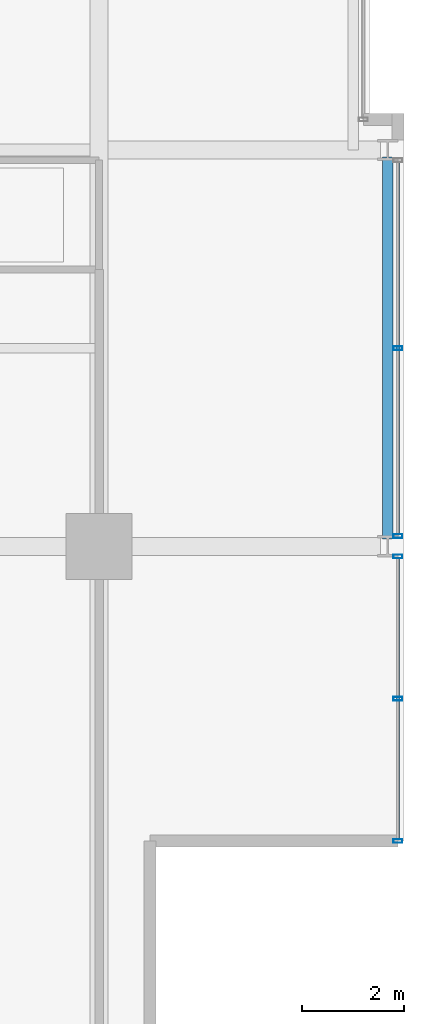
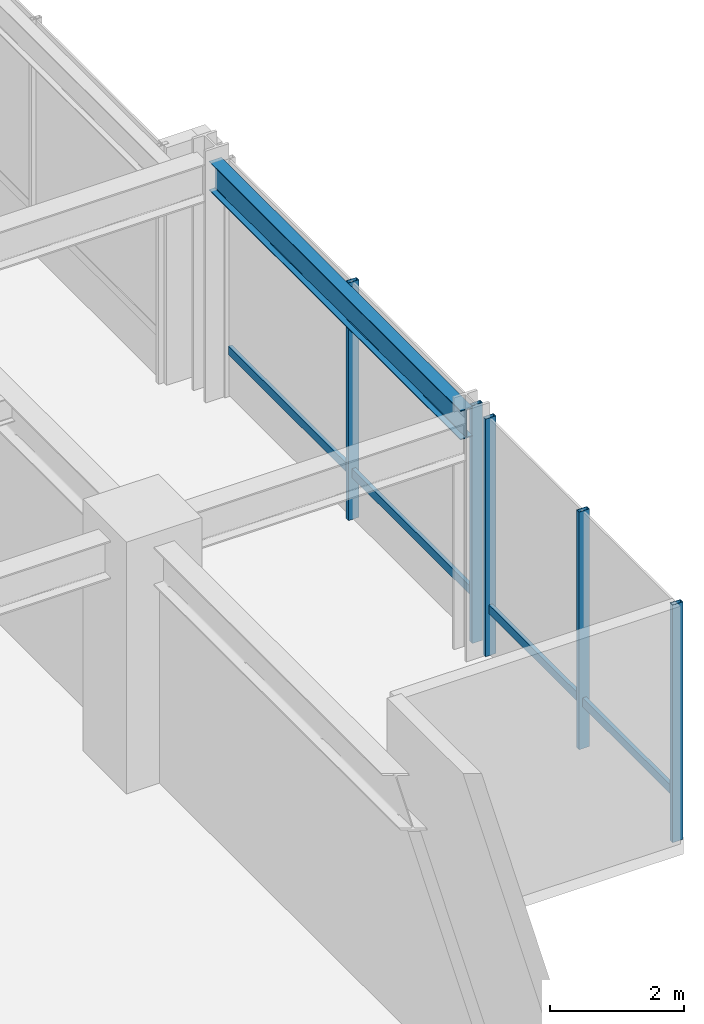
# One storey, part 13 of 32: 7 members, 1 beam, 2 elements without a shape of their own.
"""IFC4 building model written with IfcOpenShell, lengths in metres."""

from ifc_helpers import new_model, si_unit, direction, frame, origin, origin_2d, place, context, subcontext, project, spatial, hollow_rectangle, i_section, extrude, material, layer, layer_set, material_profile, profile_set, type_object, element, aggregate, save


model = new_model("IFC4")

# Units and contexts
model_context = context("Model", 3, precision=1e-05, world=origin(), true_north=direction((0.0, 1.0)))
body_context = subcontext(model_context, "Body", "Model", "MODEL_VIEW")
ifc_project = project(units=[si_unit("LENGTHUNIT", "METRE"), si_unit("AREAUNIT", "SQUARE_METRE"), si_unit("VOLUMEUNIT", "CUBIC_METRE"), si_unit("PLANEANGLEUNIT", "RADIAN"), si_unit("MASSUNIT", "GRAM", prefix="KILO")], contexts=[model_context])

# Site, building, storey
site_placement = place(None, origin())
site = spatial("IfcSite", under=ifc_project, at=site_placement, CompositionType="ELEMENT")
building_placement = place(site_placement, origin())
building = spatial("IfcBuilding", under=site, at=building_placement, Name="Drelvath Grand Hotel", CompositionType="ELEMENT")
storey_placement = place(building_placement, frame((0.0, 0.0, 145.800048828125)))
storey = spatial("IfcBuildingStorey", under=building, at=storey_placement, Name="L37", CompositionType="ELEMENT", Elevation=145.800048828125)

# Curtain wall, member
ifc_material_1 = material(Name="Brushed Pale-Silver Anodised Aluminium Frame", Category="aluminium")
ifc_layer = layer(ifc_material_1, 0.199951171875)
ifc_layer_set = layer_set([ifc_layer], Name="Brushed Pale-Silver Anodised Aluminium Frame")
curtain_wall_type = type_object("IfcCurtainWallType", Name="Stick Curtain Wall CW-04 Brushed Silver Upper-Mid", PredefinedType="NOTDEFINED", material=ifc_layer_set)
curtain_wall_1_placement = place(storey_placement, origin())
curtain_wall_1 = element("IfcCurtainWall", 1, at=curtain_wall_1_placement, inside=storey, type_object=curtain_wall_type, Name="L37 CW-04 Curtain Wall CW04-L37-ES1", PredefinedType="NOTDEFINED")
ifc_material_profile_1 = material_profile(ifc_material_1, hollow_rectangle(XDim=0.06494140625, YDim=0.159912109375, WallThickness=0.00390625, at=origin_2d()), Name="HSS160X65X4")
ifc_profile_set_1 = profile_set([ifc_material_profile_1], Name="Brushed Pale-Silver Anodised Aluminium Frame")
member_type_1 = type_object("IfcMemberType", Name="Curtain Wall Horizontal Transom CW-04 HSS160X65X4", PredefinedType="USERDEFINED", material=ifc_profile_set_1)
member_1_placement = place(storey_placement, frame((22.080078125, 10.559814453125, 0.849853515625), z_axis=(0.0, -1.0, 0.0), x_axis=(1.0, 0.0, 0.0)))
member_1 = element("IfcMember", 2, at=member_1_placement, type_object=member_type_1, Name="CW04-L37-ES1 Sill Transom", ObjectType="TRANSOM", PredefinedType="USERDEFINED", context=body_context, shape_type="SweptSolid", body=[
    extrude(hollow_rectangle(XDim=0.06494140625, YDim=0.159912109375, WallThickness=0.00390625, at=origin_2d()), origin(), (0.0, 0.0, 1.0), 5.519775390625),
])

curtain_wall_2_placement = place(storey_placement, origin())
curtain_wall_2 = element("IfcCurtainWall", 3, at=curtain_wall_2_placement, inside=storey, type_object=curtain_wall_type, Name="L37 CW-04 Curtain Wall CW04-L37-ES2", PredefinedType="NOTDEFINED")
member_2_placement = place(storey_placement, frame((22.080078125, 18.360107421875, 0.849853515625), z_axis=(0.0, -1.0, 0.0), x_axis=(1.0, 0.0, 0.0)))
member_2 = element("IfcMember", 4, at=member_2_placement, type_object=member_type_1, Name="CW04-L37-ES2 Sill Transom", ObjectType="TRANSOM", PredefinedType="USERDEFINED", context=body_context, shape_type="SweptSolid", body=[
    extrude(hollow_rectangle(XDim=0.06494140625, YDim=0.159912109375, WallThickness=0.00390625, at=origin_2d()), origin(), (0.0, 0.0, 1.0), 7.320068359375),
])

# Member
ifc_material_profile_2 = material_profile(ifc_material_1, hollow_rectangle(XDim=0.074951171875, YDim=0.179931640625, WallThickness=0.0048828125, at=origin_2d()), Name="HSS180X75X5")
ifc_profile_set_2 = profile_set([ifc_material_profile_2], Name="Brushed Pale-Silver Anodised Aluminium Frame")
member_type_2 = type_object("IfcMemberType", Name="Curtain Wall Vertical Mullion CW-04 HSS180X75X5", PredefinedType="MULLION", material=ifc_profile_set_2)
member_3_placement = place(storey_placement, frame((22.080078125, 10.599853515625, 0.0), z_axis=(0.0, 0.0, 1.0), x_axis=(0.0, 1.0, 0.0)))
member_3 = element("IfcMember", 5, at=member_3_placement, type_object=member_type_2, Name="CW04-L37-ES1 Mullion 1", PredefinedType="MULLION", context=body_context, shape_type="SweptSolid", body=[
    extrude(hollow_rectangle(XDim=0.074951171875, YDim=0.179931640625, WallThickness=0.0048828125, at=origin_2d()), origin(), (0.0, 0.0, 1.0), 4.33984375),
])

member_4_placement = place(storey_placement, frame((22.080078125, 7.7998046875, 0.0), z_axis=(0.0, 0.0, 1.0), x_axis=(0.0, 1.0, 0.0)))
member_4 = element("IfcMember", 6, at=member_4_placement, type_object=member_type_2, Name="CW04-L37-ES1 Mullion 2", PredefinedType="MULLION", context=body_context, shape_type="SweptSolid", body=[
    extrude(hollow_rectangle(XDim=0.074951171875, YDim=0.179931640625, WallThickness=0.0048828125, at=origin_2d()), origin(), (0.0, 0.0, 1.0), 4.33984375),
])

member_5_placement = place(storey_placement, frame((22.080078125, 5.0, 0.0), z_axis=(0.0, 0.0, 1.0), x_axis=(0.0, 1.0, 0.0)))
member_5 = element("IfcMember", 7, at=member_5_placement, type_object=member_type_2, Name="CW04-L37-ES1 Mullion 3", PredefinedType="MULLION", context=body_context, shape_type="SweptSolid", body=[
    extrude(hollow_rectangle(XDim=0.074951171875, YDim=0.179931640625, WallThickness=0.0048828125, at=origin_2d()), origin(), (0.0, 0.0, 1.0), 4.33984375),
])

aggregate(curtain_wall_1, [member_3, member_4, member_5, member_1])

member_6_placement = place(storey_placement, frame((22.080078125, 14.699951171875, 0.0), z_axis=(0.0, 0.0, 1.0), x_axis=(0.0, 1.0, 0.0)))
member_6 = element("IfcMember", 8, at=member_6_placement, type_object=member_type_2, Name="CW04-L37-ES2 Mullion 2", PredefinedType="MULLION", context=body_context, shape_type="SweptSolid", body=[
    extrude(hollow_rectangle(XDim=0.074951171875, YDim=0.179931640625, WallThickness=0.0048828125, at=origin_2d()), origin(), (0.0, 0.0, 1.0), 4.33984375),
])

member_7_placement = place(storey_placement, frame((22.080078125, 11.0, 0.0), z_axis=(0.0, 0.0, 1.0), x_axis=(0.0, 1.0, 0.0)))
member_7 = element("IfcMember", 9, at=member_7_placement, type_object=member_type_2, Name="CW04-L37-ES2 Mullion 3", PredefinedType="MULLION", context=body_context, shape_type="SweptSolid", body=[
    extrude(hollow_rectangle(XDim=0.074951171875, YDim=0.179931640625, WallThickness=0.0048828125, at=origin_2d()), origin(), (0.0, 0.0, 1.0), 4.33984375),
])

aggregate(curtain_wall_2, [member_6, member_7, member_2])

# Beam
ifc_material_2 = material(Name="Steel ASTM A992 Gr 50", Category="steel")
ifc_material_profile_3 = material_profile(ifc_material_2, i_section(OverallWidth=0.210205078125, OverallDepth=0.53662109375, WebThickness=0.010986328125, FlangeThickness=0.017333984375, FilletRadius=0.01806640625, at=origin_2d()), Name="W21X68")
ifc_profile_set_3 = profile_set([ifc_material_profile_3], Name="Steel ASTM A992 Gr 50")
beam_type = type_object("IfcBeamType", Name="Perimeter Spandrel Beam W21X68", PredefinedType="SPANDREL", material=ifc_profile_set_3)
beam_placement = place(storey_placement, frame((21.8798828125, 10.93994140625, 4.071533203125), z_axis=(0.0, 1.0, 0.0), x_axis=(-1.0, 0.0, 0.0)))
element("IfcBeam", 10, at=beam_placement, inside=storey, type_object=beam_type, Name="L37 Spandrel East S", PredefinedType="SPANDREL", context=body_context, shape_type="SweptSolid", body=[
    extrude(i_section(OverallWidth=0.210205078125, OverallDepth=0.53662109375, WebThickness=0.010986328125, FlangeThickness=0.017333984375, FilletRadius=0.01806640625, at=origin_2d()), origin(), (0.0, 0.0, 1.0), 7.52001953125),
])

save(model, "model.ifc")
